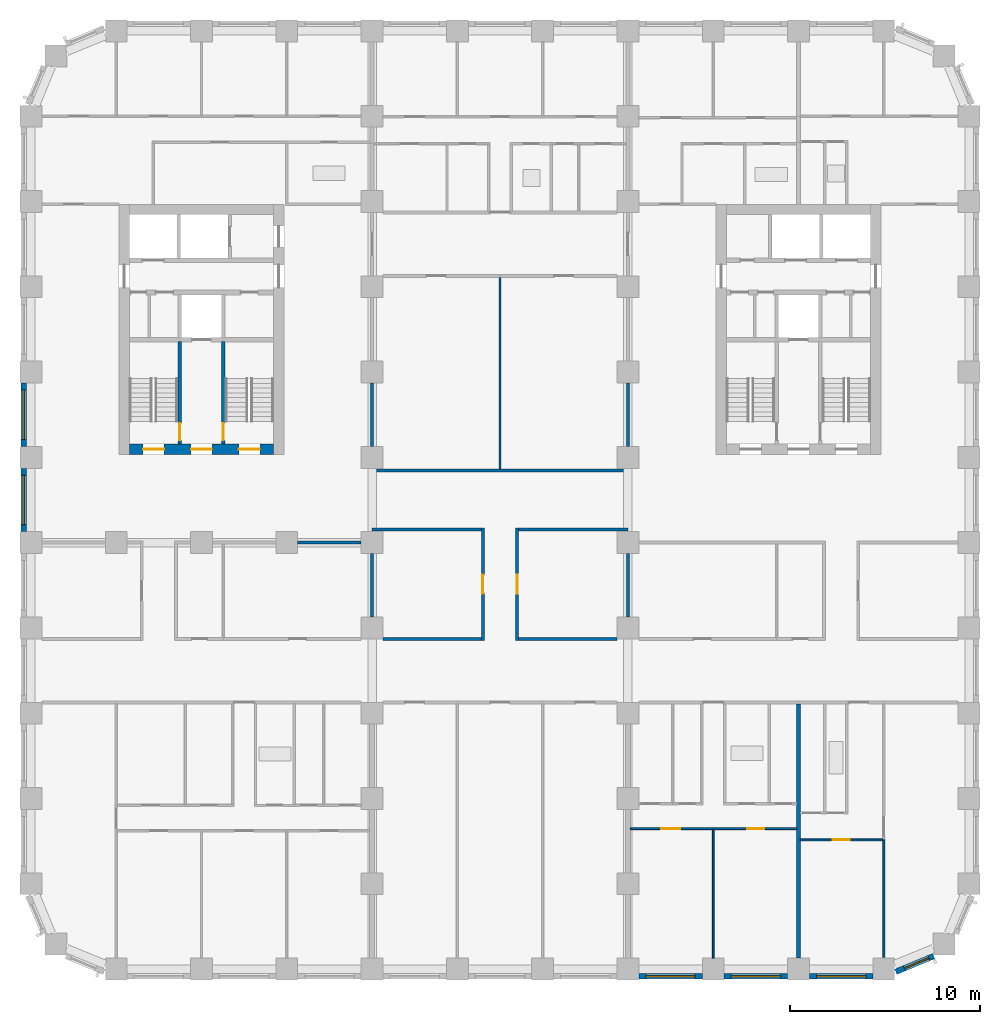
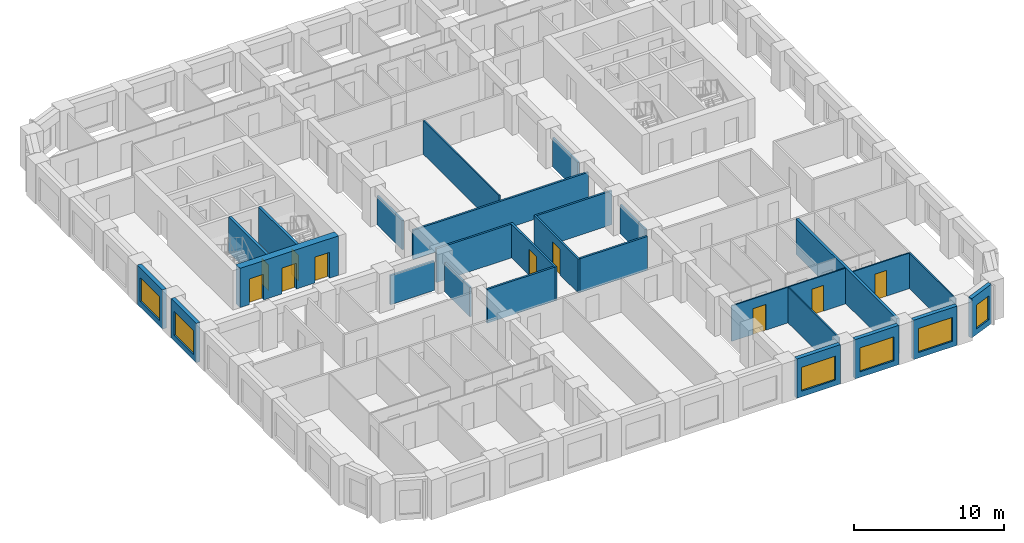
# One storey, part 4 of 13: 28 walls, 10 doors, 6 windows, 16 openings.
"""IFC4 building model written with IfcOpenShell, lengths in metres."""

from ifc_helpers import new_model, si_unit, direction, frame, frame_2d, origin, place, context, subcontext, project, spatial, rectangle, extrude, material, layer, layer_set, type_object, element, fill, save


model = new_model("IFC4")

# Units and contexts
model_context = context("Model", 3, precision=1e-05, world=origin(), true_north=direction((0.0, 1.0)))
body_context = subcontext(model_context, "Body", "Model", "MODEL_VIEW")
ifc_project = project(units=[si_unit("LENGTHUNIT", "METRE"), si_unit("AREAUNIT", "SQUARE_METRE"), si_unit("VOLUMEUNIT", "CUBIC_METRE"), si_unit("PLANEANGLEUNIT", "RADIAN"), si_unit("MASSUNIT", "GRAM", prefix="KILO")], contexts=[model_context])

# Site, building, storey
site_placement = place(None, origin())
site = spatial("IfcSite", under=ifc_project, at=site_placement, CompositionType="ELEMENT")
building_placement = place(site_placement, origin())
building = spatial("IfcBuilding", under=site, at=building_placement, Name="Girih Gate Residences", CompositionType="ELEMENT")
storey_placement = place(building_placement, frame((0.0, 0.0, 83.199951171875)))
storey = spatial("IfcBuildingStorey", under=building, at=storey_placement, Name="L22", CompositionType="ELEMENT", Elevation=83.199951171875)

# Wall, opening, door
ifc_material_1 = material(Name="Gypsum board on steel studs", Category="steel")
ifc_layer_1 = layer(ifc_material_1, 0.14990234375)
ifc_layer_set_1 = layer_set([ifc_layer_1], Name="Compartment wall 150 mm")
wall_type_1 = type_object("IfcWallType", Name="Compartment wall 150 mm", PredefinedType="PARTITIONING", material=ifc_layer_set_1)
wall_1_placement = place(storey_placement, frame((23.85009765625, 17.35009765625, 0.0), z_axis=(0.0, 0.0, 1.0), x_axis=(0.0, 1.0, 0.0)))
wall_1 = element("IfcWall", 1, at=wall_1_placement, inside=storey, type_object=wall_type_1, Name="L22 partition", PredefinedType="PARTITIONING", context=body_context, shape_type="SweptSolid", body=[
    extrude(rectangle(XDim=5.9248046875, YDim=0.14990234375, at=frame_2d((2.96240234375, 0.0))), origin(), (0.0, 0.0, 1.0), 2.75),
])
opening_1_placement = place(wall_1_placement, frame((2.46240234375, 0.0, 0.0)))
opening_1 = element("IfcOpeningElement", 2, at=opening_1_placement, cuts=wall_1, Name="Opening A22-056", PredefinedType="OPENING", context=body_context, shape_type="SweptSolid", body=[
    extrude(rectangle(XDim=1.0, YDim=2.10009765625, at=frame_2d((0.5, 1.050048828125))), frame((0.0, 0.0849609375, 0.0), z_axis=(0.0, -1.0, 0.0), x_axis=(1.0, 0.0, 0.0)), (0.0, 0.0, 1.0), 0.169921875),
])
ifc_material_2 = material(Name="Timber, fire-rated core", Category="wood")
door_type_1 = type_object("IfcDoorType", Name="Amenity room door 1000x2100 FD30S", OperationType="NOTDEFINED", PredefinedType="DOOR", material=ifc_material_2)
door_1_placement = place(opening_1_placement, origin())
door_1 = element("IfcDoor", 3, at=door_1_placement, inside=storey, type_object=door_type_1, Name="Door A22-056", OperationType="SINGLE_SWING_RIGHT", OverallHeight=2.10009765625, OverallWidth=1.0, PredefinedType="DOOR", context=body_context, shape_type="SweptSolid", body=[
    extrude(rectangle(XDim=1.0, YDim=2.10009765625, at=frame_2d((0.5, 1.050048828125))), frame((0.0, 0.02490234375, 0.0), z_axis=(0.0, -1.0, 0.0), x_axis=(1.0, 0.0, 0.0)), (0.0, 0.0, 1.0), 0.050048828125),
])
fill(opening_1, door_1)

wall_2_placement = place(storey_placement, frame((25.64990234375, 23.27490234375, 0.0), z_axis=(0.0, 0.0, 1.0), x_axis=(0.0, -1.0, 0.0)))
wall_2 = element("IfcWall", 4, at=wall_2_placement, inside=storey, type_object=wall_type_1, Name="L22 partition", PredefinedType="PARTITIONING", context=body_context, shape_type="SweptSolid", body=[
    extrude(rectangle(XDim=5.9248046875, YDim=0.14990234375, at=frame_2d((2.96240234375, 0.0))), origin(), (0.0, 0.0, 1.0), 2.75),
])
opening_2_placement = place(wall_2_placement, frame((2.46240234375, 0.0, 0.0)))
opening_2 = element("IfcOpeningElement", 5, at=opening_2_placement, cuts=wall_2, Name="Opening A22-057", PredefinedType="OPENING", context=body_context, shape_type="SweptSolid", body=[
    extrude(rectangle(XDim=1.0, YDim=2.10009765625, at=frame_2d((0.5, 1.050048828125))), frame((0.0, 0.0849609375, 0.0), z_axis=(0.0, -1.0, 0.0), x_axis=(1.0, 0.0, 0.0)), (0.0, 0.0, 1.0), 0.169921875),
])
door_2_placement = place(opening_2_placement, origin())
door_2 = element("IfcDoor", 6, at=door_2_placement, inside=storey, type_object=door_type_1, Name="Door A22-057", OperationType="SINGLE_SWING_RIGHT", OverallHeight=2.10009765625, OverallWidth=1.0, PredefinedType="DOOR", context=body_context, shape_type="SweptSolid", body=[
    extrude(rectangle(XDim=1.0, YDim=2.10009765625, at=frame_2d((0.5, 1.050048828125))), frame((0.0, 0.02490234375, 0.0), z_axis=(0.0, -1.0, 0.0), x_axis=(1.0, 0.0, 0.0)), (0.0, 0.0, 1.0), 0.050048828125),
])
fill(opening_2, door_2)

# Walls
for number, where, z_axis, x_axis, name in (
    (7, (18.574951171875, 17.425048828125, 0.0), (0.0, 0.0, 1.0), (1.0, 0.0, 0.0), "L22 partition"),
    (8, (25.72509765625, 17.425048828125, 0.0), (0.0, 0.0, 1.0), (1.0, 0.0, 0.0), "L22 partition"),
):
    element("IfcWall", number, at=place(storey_placement, frame(where, z_axis=z_axis, x_axis=x_axis)), inside=storey, type_object=wall_type_1, Name=name, PredefinedType="PARTITIONING", context=body_context, shape_type="SweptSolid", body=[
        extrude(rectangle(XDim=5.199951171875, YDim=0.14990234375, at=frame_2d((2.60009765625, 0.0))), origin(), (0.0, 0.0, 1.0), 2.75),
    ])
wall_3_placement = place(storey_placement, frame((18.0, 27.574951171875, 0.0), z_axis=(0.0, 0.0, 1.0), x_axis=(0.0, 1.0, 0.0)))
element("IfcWall", 9, at=wall_3_placement, inside=storey, type_object=wall_type_1, Name="L22 partition", PredefinedType="PARTITIONING", context=body_context, shape_type="SweptSolid", body=[
    extrude(rectangle(XDim=3.35009765625, YDim=0.14990234375, at=frame_2d((1.675048828125, 0.0))), origin(), (0.0, 0.0, 1.0), 2.380126953125),
])
wall_4_placement = place(storey_placement, frame((18.0, 26.300048828125, 0.0), z_axis=(0.0, 0.0, 1.0), x_axis=(1.0, 0.0, 0.0)))
element("IfcWall", 10, at=wall_4_placement, inside=storey, type_object=wall_type_1, Name="L22 partition", PredefinedType="PARTITIONING", context=body_context, shape_type="SweptSolid", body=[
    extrude(rectangle(XDim=13.5, YDim=0.14990234375, at=frame_2d((6.75, 0.0))), origin(), (0.0, 0.0, 1.0), 2.380126953125),
])
wall_5_placement = place(storey_placement, frame((31.5, 27.574951171875, 0.0), z_axis=(0.0, 0.0, 1.0), x_axis=(0.0, 1.0, 0.0)))
element("IfcWall", 11, at=wall_5_placement, inside=storey, type_object=wall_type_1, Name="L22 partition", PredefinedType="PARTITIONING", context=body_context, shape_type="SweptSolid", body=[
    extrude(rectangle(XDim=3.35009765625, YDim=0.14990234375, at=frame_2d((1.675048828125, 0.0))), origin(), (0.0, 0.0, 1.0), 2.380126953125),
])
wall_6_placement = place(storey_placement, frame((18.0, 23.199951171875, 0.0), z_axis=(0.0, 0.0, 1.0), x_axis=(1.0, 0.0, 0.0)))
element("IfcWall", 12, at=wall_6_placement, inside=storey, type_object=wall_type_1, Name="L22 partition", PredefinedType="PARTITIONING", context=body_context, shape_type="SweptSolid", body=[
    extrude(rectangle(XDim=5.77490234375, YDim=0.14990234375, at=frame_2d((2.887451171875, 0.0))), origin(), (0.0, 0.0, 1.0), 2.75),
])
wall_7_placement = place(storey_placement, frame((18.0, 18.574951171875, 0.0), z_axis=(0.0, 0.0, 1.0), x_axis=(0.0, 1.0, 0.0)))
element("IfcWall", 13, at=wall_7_placement, inside=storey, type_object=wall_type_1, Name="L22 partition", PredefinedType="PARTITIONING", context=body_context, shape_type="SweptSolid", body=[
    extrude(rectangle(XDim=3.35009765625, YDim=0.14990234375, at=frame_2d((1.675048828125, 0.0))), origin(), (0.0, 0.0, 1.0), 2.380126953125),
])
wall_8_placement = place(storey_placement, frame((25.72509765625, 23.199951171875, 0.0), z_axis=(0.0, 0.0, 1.0), x_axis=(1.0, 0.0, 0.0)))
element("IfcWall", 14, at=wall_8_placement, inside=storey, type_object=wall_type_1, Name="L22 partition", PredefinedType="PARTITIONING", context=body_context, shape_type="SweptSolid", body=[
    extrude(rectangle(XDim=5.77490234375, YDim=0.14990234375, at=frame_2d((2.887451171875, 0.0))), origin(), (0.0, 0.0, 1.0), 2.75),
])
for number, where, z_axis, x_axis, name in (
    (15, (31.5, 18.574951171875, 0.0), (0.0, 0.0, 1.0), (0.0, 1.0, 0.0), "L22 partition"),
    (16, (14.074951171875, 22.5, 0.0), (0.0, 0.0, 1.0), (1.0, 0.0, 0.0), "L22 partition"),
):
    element("IfcWall", number, at=place(storey_placement, frame(where, z_axis=z_axis, x_axis=x_axis)), inside=storey, type_object=wall_type_1, Name=name, PredefinedType="PARTITIONING", context=body_context, shape_type="SweptSolid", body=[
        extrude(rectangle(XDim=3.35009765625, YDim=0.14990234375, at=frame_2d((1.675048828125, 0.0))), origin(), (0.0, 0.0, 1.0), 2.380126953125),
    ])

# Wall, openings, doors
ifc_material_3 = material(Name="Concrete C60/75", Category="concrete")
ifc_layer_2 = layer(ifc_material_3, 0.550048828125)
ifc_layer_set_2 = layer_set([ifc_layer_2], Name="Core wall RC 550 Concrete C60/75")
wall_type_2 = type_object("IfcWallType", Name="Core wall RC 550 Concrete C60/75", PredefinedType="SOLIDWALL", material=ifc_layer_set_2)
wall_9_placement = place(storey_placement, frame((5.199951171875, 27.425048828125, 0.0), z_axis=(0.0, 0.0, 1.0), x_axis=(1.0, 0.0, 0.0)))
wall_9 = element("IfcWall", 17, at=wall_9_placement, inside=storey, type_object=wall_type_2, Name="Core wall W-S L22", PredefinedType="SOLIDWALL", context=body_context, shape_type="SweptSolid", body=[
    extrude(rectangle(XDim=7.60009765625, YDim=0.550048828125, at=frame_2d((3.800048828125, 0.0))), origin(), (0.0, 0.0, 1.0), 3.199951171875),
])
opening_3_placement = place(wall_9_placement, frame((0.72509765625, 0.0, 0.0)))
opening_3 = element("IfcOpeningElement", 18, at=opening_3_placement, cuts=wall_9, Name="Opening D-L22-W-009", PredefinedType="OPENING", context=body_context, shape_type="SweptSolid", body=[
    extrude(rectangle(XDim=1.10009765625, YDim=2.10009765625, at=frame_2d((0.550048828125, 1.050048828125))), frame((0.0, 0.284912109375, 0.0), z_axis=(0.0, -1.0, 0.0), x_axis=(1.0, 0.0, 0.0)), (0.0, 0.0, 1.0), 0.570068359375),
])
opening_4_placement = place(wall_9_placement, frame((3.25, 0.0, 0.0)))
opening_4 = element("IfcOpeningElement", 19, at=opening_4_placement, cuts=wall_9, Name="Opening D-L22-W-010", PredefinedType="OPENING", context=body_context, shape_type="SweptSolid", body=[
    extrude(rectangle(XDim=1.10009765625, YDim=2.10009765625, at=frame_2d((0.550048828125, 1.050048828125))), frame((0.0, 0.284912109375, 0.0), z_axis=(0.0, -1.0, 0.0), x_axis=(1.0, 0.0, 0.0)), (0.0, 0.0, 1.0), 0.570068359375),
])
opening_5_placement = place(wall_9_placement, frame((5.77490234375, 0.0, 0.0)))
opening_5 = element("IfcOpeningElement", 20, at=opening_5_placement, cuts=wall_9, Name="Opening D-L22-W-011", PredefinedType="OPENING", context=body_context, shape_type="SweptSolid", body=[
    extrude(rectangle(XDim=1.10009765625, YDim=2.10009765625, at=frame_2d((0.550048828125, 1.050048828125))), frame((0.0, 0.284912109375, 0.0), z_axis=(0.0, -1.0, 0.0), x_axis=(1.0, 0.0, 0.0)), (0.0, 0.0, 1.0), 0.570068359375),
])
ifc_material_4 = material(Name="Painted steel, fire-resisting", Category="steel")
door_type_2 = type_object("IfcDoorType", Name="Fire door 1100x2100", OperationType="SINGLE_SWING_LEFT", PredefinedType="DOOR", material=ifc_material_4)
door_3_placement = place(opening_3_placement, origin())
door_3 = element("IfcDoor", 21, at=door_3_placement, inside=storey, type_object=door_type_2, Name="L22 W core door sta-out", OperationType="SINGLE_SWING_LEFT", OverallHeight=2.10009765625, OverallWidth=1.10009765625, PredefinedType="DOOR", context=body_context, shape_type="SweptSolid", body=[
    extrude(rectangle(XDim=1.10009765625, YDim=2.10009765625, at=frame_2d((0.550048828125, 1.050048828125))), frame((0.0, 0.02490234375, 0.0), z_axis=(0.0, -1.0, 0.0), x_axis=(1.0, 0.0, 0.0)), (0.0, 0.0, 1.0), 0.050048828125),
])
fill(opening_3, door_3)
door_4_placement = place(opening_4_placement, origin())
door_4 = element("IfcDoor", 22, at=door_4_placement, inside=storey, type_object=door_type_2, Name="L22 W core door ffl-out", OperationType="SINGLE_SWING_LEFT", OverallHeight=2.10009765625, OverallWidth=1.10009765625, PredefinedType="DOOR", context=body_context, shape_type="SweptSolid", body=[
    extrude(rectangle(XDim=1.10009765625, YDim=2.10009765625, at=frame_2d((0.550048828125, 1.050048828125))), frame((0.0, 0.02490234375, 0.0), z_axis=(0.0, -1.0, 0.0), x_axis=(1.0, 0.0, 0.0)), (0.0, 0.0, 1.0), 0.050048828125),
])
fill(opening_4, door_4)
door_5_placement = place(opening_5_placement, origin())
door_5 = element("IfcDoor", 23, at=door_5_placement, inside=storey, type_object=door_type_2, Name="L22 W core door stb-out", OperationType="SINGLE_SWING_LEFT", OverallHeight=2.10009765625, OverallWidth=1.10009765625, PredefinedType="DOOR", context=body_context, shape_type="SweptSolid", body=[
    extrude(rectangle(XDim=1.10009765625, YDim=2.10009765625, at=frame_2d((0.550048828125, 1.050048828125))), frame((0.0, 0.02490234375, 0.0), z_axis=(0.0, -1.0, 0.0), x_axis=(1.0, 0.0, 0.0)), (0.0, 0.0, 1.0), 0.050048828125),
])
fill(opening_5, door_5)

# Wall, opening, door
ifc_layer_3 = layer(ifc_material_1, 0.10009765625)
ifc_layer_set_3 = layer_set([ifc_layer_3], Name="Partition 100 mm")
wall_type_3 = type_object("IfcWallType", Name="Partition 100 mm", PredefinedType="PARTITIONING", material=ifc_layer_set_3)
wall_10_placement = place(storey_placement, frame((44.949951171875, 6.81494140625, 0.0), z_axis=(0.0, 0.0, 1.0), x_axis=(-1.0, 0.0, 0.0)))
wall_10 = element("IfcWall", 24, at=wall_10_placement, inside=storey, type_object=wall_type_3, Name="L22 partition", PredefinedType="PARTITIONING", context=body_context, shape_type="SweptSolid", body=[
    extrude(rectangle(XDim=4.349853515625, YDim=0.10009765625, at=frame_2d((2.1748046875, 0.0))), origin(), (0.0, 0.0, 1.0), 2.900146484375),
])
opening_6_placement = place(wall_10_placement, frame((1.75, 0.0, 0.0)))
opening_6 = element("IfcOpeningElement", 25, at=opening_6_placement, cuts=wall_10, Name="Opening A22-019", PredefinedType="OPENING", context=body_context, shape_type="SweptSolid", body=[
    extrude(rectangle(XDim=0.89990234375, YDim=2.10009765625, at=frame_2d((0.449951171875, 1.050048828125))), frame((0.0, 0.06005859375, 0.0), z_axis=(0.0, -1.0, 0.0), x_axis=(1.0, 0.0, 0.0)), (0.0, 0.0, 1.0), 0.1201171875),
])
ifc_material_5 = material(Name="Timber", Category="wood")
door_type_3 = type_object("IfcDoorType", Name="Bedroom door 900x2100", OperationType="NOTDEFINED", PredefinedType="DOOR", material=ifc_material_5)
door_6_placement = place(opening_6_placement, origin())
door_6 = element("IfcDoor", 26, at=door_6_placement, inside=storey, type_object=door_type_3, Name="Door A22-019", OperationType="SINGLE_SWING_RIGHT", OverallHeight=2.10009765625, OverallWidth=0.89990234375, PredefinedType="DOOR", context=body_context, shape_type="SweptSolid", body=[
    extrude(rectangle(XDim=0.89990234375, YDim=2.10009765625, at=frame_2d((0.449951171875, 1.050048828125))), frame((0.0, 0.02490234375, 0.0), z_axis=(0.0, -1.0, 0.0), x_axis=(1.0, 0.0, 0.0)), (0.0, 0.0, 1.0), 0.050048828125),
])
fill(opening_6, door_6)

# Wall
wall_11_placement = place(storey_placement, frame((45.0, 0.622314453125, 0.0), z_axis=(0.0, 0.0, 1.0), x_axis=(0.0, 1.0, 0.0)))
element("IfcWall", 27, at=wall_11_placement, inside=storey, type_object=wall_type_3, Name="L22 partition", PredefinedType="PARTITIONING", context=body_context, shape_type="SweptSolid", body=[
    extrude(rectangle(XDim=6.192626953125, YDim=0.10009765625, at=frame_2d((3.09619140625, 0.0))), origin(), (0.0, 0.0, 1.0), 2.900146484375),
])

# Wall, opening, door
wall_12_placement = place(storey_placement, frame((40.39990234375, 7.4150390625, 0.0), z_axis=(0.0, 0.0, 1.0), x_axis=(-1.0, 0.0, 0.0)))
wall_12 = element("IfcWall", 28, at=wall_12_placement, inside=storey, type_object=wall_type_3, Name="L22 partition", PredefinedType="PARTITIONING", context=body_context, shape_type="SweptSolid", body=[
    extrude(rectangle(XDim=4.39990234375, YDim=0.10009765625, at=frame_2d((2.199951171875, 0.0))), origin(), (0.0, 0.0, 1.0), 2.900146484375),
])
opening_7_placement = place(wall_12_placement, frame((1.699951171875, 0.0, 0.0)))
opening_7 = element("IfcOpeningElement", 29, at=opening_7_placement, cuts=wall_12, Name="Opening A22-024", PredefinedType="OPENING", context=body_context, shape_type="SweptSolid", body=[
    extrude(rectangle(XDim=0.89990234375, YDim=2.10009765625, at=frame_2d((0.449951171875, 1.050048828125))), frame((0.0, 0.06005859375, 0.0), z_axis=(0.0, -1.0, 0.0), x_axis=(1.0, 0.0, 0.0)), (0.0, 0.0, 1.0), 0.1201171875),
])
door_7_placement = place(opening_7_placement, origin())
door_7 = element("IfcDoor", 30, at=door_7_placement, inside=storey, type_object=door_type_3, Name="Door A22-024", OperationType="SINGLE_SWING_LEFT", OverallHeight=2.10009765625, OverallWidth=0.89990234375, PredefinedType="DOOR", context=body_context, shape_type="SweptSolid", body=[
    extrude(rectangle(XDim=0.89990234375, YDim=2.10009765625, at=frame_2d((0.449951171875, 1.050048828125))), frame((0.0, 0.02490234375, 0.0), z_axis=(0.0, -1.0, 0.0), x_axis=(1.0, 0.0, 0.0)), (0.0, 0.0, 1.0), 0.050048828125),
])
fill(opening_7, door_7)

# Wall
wall_13_placement = place(storey_placement, frame((36.0, 0.574951171875, 0.0), z_axis=(0.0, 0.0, 1.0), x_axis=(0.0, 1.0, 0.0)))
element("IfcWall", 31, at=wall_13_placement, inside=storey, type_object=wall_type_3, Name="L22 partition", PredefinedType="PARTITIONING", context=body_context, shape_type="SweptSolid", body=[
    extrude(rectangle(XDim=6.7900390625, YDim=0.10009765625, at=frame_2d((3.39501953125, 0.0))), origin(), (0.0, 0.0, 1.0), 2.900146484375),
])

# Wall, opening, door
wall_14_placement = place(storey_placement, frame((36.0, 7.4150390625, 0.0), z_axis=(0.0, 0.0, 1.0), x_axis=(-1.0, 0.0, 0.0)))
wall_14 = element("IfcWall", 32, at=wall_14_placement, inside=storey, type_object=wall_type_3, Name="L22 partition", PredefinedType="PARTITIONING", context=body_context, shape_type="SweptSolid", body=[
    extrude(rectangle(XDim=4.375, YDim=0.10009765625, at=frame_2d((2.1875, 0.0))), origin(), (0.0, 0.0, 1.0), 2.900146484375),
])
opening_8_placement = place(wall_14_placement, frame((1.75, 0.0, 0.0)))
opening_8 = element("IfcOpeningElement", 33, at=opening_8_placement, cuts=wall_14, Name="Opening A22-026", PredefinedType="OPENING", context=body_context, shape_type="SweptSolid", body=[
    extrude(rectangle(XDim=1.0, YDim=2.10009765625, at=frame_2d((0.5, 1.050048828125))), frame((0.0, 0.06005859375, 0.0), z_axis=(0.0, -1.0, 0.0), x_axis=(1.0, 0.0, 0.0)), (0.0, 0.0, 1.0), 0.1201171875),
])
door_type_4 = type_object("IfcDoorType", Name="Living room door 1000x2100", OperationType="NOTDEFINED", PredefinedType="DOOR", material=ifc_material_5)
door_8_placement = place(opening_8_placement, origin())
door_8 = element("IfcDoor", 34, at=door_8_placement, inside=storey, type_object=door_type_4, Name="Door A22-026", OperationType="SINGLE_SWING_RIGHT", OverallHeight=2.10009765625, OverallWidth=1.0, PredefinedType="DOOR", context=body_context, shape_type="SweptSolid", body=[
    extrude(rectangle(XDim=1.0, YDim=2.10009765625, at=frame_2d((0.5, 1.050048828125))), frame((0.0, 0.02490234375, 0.0), z_axis=(0.0, -1.0, 0.0), x_axis=(1.0, 0.0, 0.0)), (0.0, 0.0, 1.0), 0.050048828125),
])
fill(opening_8, door_8)

# Walls
wall_15_placement = place(storey_placement, frame((24.75, 26.375, 0.0), z_axis=(0.0, 0.0, 1.0), x_axis=(0.0, 1.0, 0.0)))
element("IfcWall", 35, at=wall_15_placement, inside=storey, type_object=wall_type_3, Name="L22 partition", PredefinedType="PARTITIONING", context=body_context, shape_type="SweptSolid", body=[
    extrude(rectangle(XDim=10.125, YDim=0.10009765625, at=frame_2d((5.0625, 0.0))), origin(), (0.0, 0.0, 1.0), 2.75),
])
ifc_layer_4 = layer(ifc_material_1, 0.199951171875)
ifc_layer_set_4 = layer_set([ifc_layer_4], Name="Party wall 200 mm")
wall_type_4 = type_object("IfcWallType", Name="Party wall 200 mm", PredefinedType="PARTITIONING", material=ifc_layer_set_4)
wall_16_placement = place(storey_placement, frame((40.5, 0.574951171875, 0.0), z_axis=(0.0, 0.0, 1.0), x_axis=(0.0, 1.0, 0.0)))
element("IfcWall", 36, at=wall_16_placement, inside=storey, type_object=wall_type_4, Name="L22 partition", PredefinedType="PARTITIONING", context=body_context, shape_type="SweptSolid", body=[
    extrude(rectangle(XDim=13.425048828125, YDim=0.199951171875, at=frame_2d((6.71240234375, 0.0))), origin(), (0.0, 0.0, 1.0), 2.900146484375),
])

# Wall, opening, window
ifc_material_6 = material(Name="Precast concrete C50/60", Category="concrete")
ifc_layer_5 = layer(ifc_material_6, 0.080078125, Name="Outer leaf")
ifc_material_7 = material(Name="Rigid PIR insulation")
ifc_layer_6 = layer(ifc_material_7, 0.14990234375, Name="Insulation")
ifc_material_8 = material(Name="Precast concrete C40/50", Category="concrete")
ifc_layer_7 = layer(ifc_material_8, 0.070068359375, Name="Inner leaf")
ifc_layer_set_5 = layer_set([ifc_layer_5, ifc_layer_6, ifc_layer_7], Name="Precast concrete C50/60 external wall 300")
wall_type_5 = type_object("IfcWallType", Name="Precast concrete C50/60 external wall 300", PredefinedType="SOLIDWALL", material=ifc_layer_set_5)
wall_17_placement = place(storey_placement, frame((35.425048828125, -0.375, 0.0), z_axis=(0.0, 0.0, 1.0), x_axis=(-1.0, 0.0, 0.0)))
wall_17 = element("IfcWall", 37, at=wall_17_placement, inside=storey, type_object=wall_type_5, Name="External wall S0045_0000.6", PredefinedType="SOLIDWALL", context=body_context, shape_type="SweptSolid", body=[
    extrude(rectangle(XDim=3.35009765625, YDim=0.300048828125, at=frame_2d((1.675048828125, 0.0))), origin(), (0.0, 0.0, 1.0), 3.199951171875),
])
opening_9_placement = place(wall_17_placement, frame((0.375, 0.0, 0.449951171875)))
opening_9 = element("IfcOpeningElement", 38, at=opening_9_placement, cuts=wall_17, Name="Opening W-1A", PredefinedType="OPENING", context=body_context, shape_type="SweptSolid", body=[
    extrude(rectangle(XDim=2.60009765625, YDim=1.949951171875, at=frame_2d((1.300048828125, 0.97509765625))), frame((0.0, 0.159912109375, 0.0), z_axis=(0.0, -1.0, 0.0), x_axis=(1.0, 0.0, 0.0)), (0.0, 0.0, 1.0), 0.320068359375),
])
ifc_material_9 = material(Name="Double glazing in aluminium frame", Category="aluminium")
window_type_1 = type_object("IfcWindowType", Name="Window W-1A 2600x1950", PartitioningType="SINGLE_PANEL", PredefinedType="WINDOW", material=ifc_material_9)
window_1_placement = place(opening_9_placement, origin())
window_1 = element("IfcWindow", 39, at=window_1_placement, inside=storey, type_object=window_type_1, Name="Window W-1A S0045_0000.6", OverallHeight=1.949951171875, OverallWidth=2.60009765625, PartitioningType="SINGLE_PANEL", PredefinedType="WINDOW", context=body_context, shape_type="SweptSolid", body=[
    extrude(rectangle(XDim=2.60009765625, YDim=1.949951171875, at=frame_2d((1.300048828125, 0.97509765625))), frame((0.0, 0.030029296875, 0.0), z_axis=(0.0, -1.0, 0.0), x_axis=(1.0, 0.0, 0.0)), (0.0, 0.0, 1.0), 0.06005859375),
])
fill(opening_9, window_1)

wall_18_placement = place(storey_placement, frame((39.925048828125, -0.375, 0.0), z_axis=(0.0, 0.0, 1.0), x_axis=(-1.0, 0.0, 0.0)))
wall_18 = element("IfcWall", 40, at=wall_18_placement, inside=storey, type_object=wall_type_5, Name="External wall S0045_0000.7", PredefinedType="SOLIDWALL", context=body_context, shape_type="SweptSolid", body=[
    extrude(rectangle(XDim=3.35009765625, YDim=0.300048828125, at=frame_2d((1.675048828125, 0.0))), origin(), (0.0, 0.0, 1.0), 3.199951171875),
])
opening_10_placement = place(wall_18_placement, frame((0.375, 0.0, 0.449951171875)))
opening_10 = element("IfcOpeningElement", 41, at=opening_10_placement, cuts=wall_18, Name="Opening W-1A", PredefinedType="OPENING", context=body_context, shape_type="SweptSolid", body=[
    extrude(rectangle(XDim=2.60009765625, YDim=1.949951171875, at=frame_2d((1.300048828125, 0.97509765625))), frame((0.0, 0.159912109375, 0.0), z_axis=(0.0, -1.0, 0.0), x_axis=(1.0, 0.0, 0.0)), (0.0, 0.0, 1.0), 0.320068359375),
])
window_2_placement = place(opening_10_placement, origin())
window_2 = element("IfcWindow", 42, at=window_2_placement, inside=storey, type_object=window_type_1, Name="Window W-1A S0045_0000.7", OverallHeight=1.949951171875, OverallWidth=2.60009765625, PartitioningType="SINGLE_PANEL", PredefinedType="WINDOW", context=body_context, shape_type="SweptSolid", body=[
    extrude(rectangle(XDim=2.60009765625, YDim=1.949951171875, at=frame_2d((1.300048828125, 0.97509765625))), frame((0.0, 0.030029296875, 0.0), z_axis=(0.0, -1.0, 0.0), x_axis=(1.0, 0.0, 0.0)), (0.0, 0.0, 1.0), 0.06005859375),
])
fill(opening_10, window_2)

wall_19_placement = place(storey_placement, frame((44.425048828125, -0.375, 0.0), z_axis=(0.0, 0.0, 1.0), x_axis=(-1.0, 0.0, 0.0)))
wall_19 = element("IfcWall", 43, at=wall_19_placement, inside=storey, type_object=wall_type_5, Name="External wall S0045_0000.8", PredefinedType="SOLIDWALL", context=body_context, shape_type="SweptSolid", body=[
    extrude(rectangle(XDim=3.35009765625, YDim=0.300048828125, at=frame_2d((1.675048828125, 0.0))), origin(), (0.0, 0.0, 1.0), 3.199951171875),
])
opening_11_placement = place(wall_19_placement, frame((0.375, 0.0, 0.449951171875)))
opening_11 = element("IfcOpeningElement", 44, at=opening_11_placement, cuts=wall_19, Name="Opening W-1A", PredefinedType="OPENING", context=body_context, shape_type="SweptSolid", body=[
    extrude(rectangle(XDim=2.60009765625, YDim=1.949951171875, at=frame_2d((1.300048828125, 0.97509765625))), frame((0.0, 0.159912109375, 0.0), z_axis=(0.0, -1.0, 0.0), x_axis=(1.0, 0.0, 0.0)), (0.0, 0.0, 1.0), 0.320068359375),
])
window_3_placement = place(opening_11_placement, origin())
window_3 = element("IfcWindow", 45, at=window_3_placement, inside=storey, type_object=window_type_1, Name="Window W-1A S0045_0000.8", OverallHeight=1.949951171875, OverallWidth=2.60009765625, PartitioningType="SINGLE_PANEL", PredefinedType="WINDOW", context=body_context, shape_type="SweptSolid", body=[
    extrude(rectangle(XDim=2.60009765625, YDim=1.949951171875, at=frame_2d((1.300048828125, 0.97509765625))), frame((0.0, 0.030029296875, 0.0), z_axis=(0.0, -1.0, 0.0), x_axis=(1.0, 0.0, 0.0)), (0.0, 0.0, 1.0), 0.06005859375),
])
fill(opening_11, window_3)

wall_20_placement = place(storey_placement, frame((47.63134765625, 0.68408203125, 0.0), z_axis=(0.0, 0.0, 1.0), x_axis=(-0.923862802911, -0.382723818695, 0.0)))
wall_20 = element("IfcWall", 46, at=wall_20_placement, inside=storey, type_object=wall_type_5, Name="External wall SE0450_0000.0", PredefinedType="SOLIDWALL", context=body_context, shape_type="SweptSolid", body=[
    extrude(rectangle(XDim=2.163818359375, YDim=0.300048828125, at=frame_2d((1.08203125, 0.0))), origin(), (0.0, 0.0, 1.0), 3.199951171875),
])
opening_12_placement = place(wall_20_placement, frame((0.270751953125, 0.0, 0.449951171875)))
opening_12 = element("IfcOpeningElement", 47, at=opening_12_placement, cuts=wall_20, Name="Opening W-2D", PredefinedType="OPENING", context=body_context, shape_type="SweptSolid", body=[
    extrude(rectangle(XDim=1.39990234375, YDim=1.949951171875, at=frame_2d((0.699951171875, 0.97509765625))), frame((0.0, 0.159912109375, 0.0), z_axis=(0.0, -1.0, 0.0), x_axis=(1.0, 0.0, 0.0)), (0.0, 0.0, 1.0), 0.320068359375),
])
window_type_2 = type_object("IfcWindowType", Name="Window W-2D 1400x1950", PartitioningType="SINGLE_PANEL", PredefinedType="WINDOW", material=ifc_material_9)
window_4_placement = place(opening_12_placement, origin())
window_4 = element("IfcWindow", 48, at=window_4_placement, inside=storey, type_object=window_type_2, Name="Window W-2D SE0450_0000.0", OverallHeight=1.949951171875, OverallWidth=1.39990234375, PartitioningType="SINGLE_PANEL", PredefinedType="WINDOW", context=body_context, shape_type="SweptSolid", body=[
    extrude(rectangle(XDim=1.39990234375, YDim=1.949951171875, at=frame_2d((0.699951171875, 0.97509765625))), frame((0.0, 0.030029296875, 0.0), z_axis=(0.0, -1.0, 0.0), x_axis=(1.0, 0.0, 0.0)), (0.0, 0.0, 1.0), 0.06005859375),
])
fill(opening_12, window_4)

wall_21_placement = place(storey_placement, frame((-0.375, 27.574951171875, 0.0), z_axis=(0.0, 0.0, 1.0), x_axis=(0.0, 1.0, 0.0)))
wall_21 = element("IfcWall", 49, at=wall_21_placement, inside=storey, type_object=wall_type_5, Name="External wall W0000_0450.3", PredefinedType="SOLIDWALL", context=body_context, shape_type="SweptSolid", body=[
    extrude(rectangle(XDim=3.35009765625, YDim=0.300048828125, at=frame_2d((1.675048828125, 0.0))), origin(), (0.0, 0.0, 1.0), 3.199951171875),
])
opening_13_placement = place(wall_21_placement, frame((0.375, 0.0, 0.449951171875)))
opening_13 = element("IfcOpeningElement", 50, at=opening_13_placement, cuts=wall_21, Name="Opening W-1A", PredefinedType="OPENING", context=body_context, shape_type="SweptSolid", body=[
    extrude(rectangle(XDim=2.60009765625, YDim=1.949951171875, at=frame_2d((1.300048828125, 0.97509765625))), frame((0.0, 0.159912109375, 0.0), z_axis=(0.0, -1.0, 0.0), x_axis=(1.0, 0.0, 0.0)), (0.0, 0.0, 1.0), 0.320068359375),
])
window_5_placement = place(opening_13_placement, origin())
window_5 = element("IfcWindow", 51, at=window_5_placement, inside=storey, type_object=window_type_1, Name="Window W-1A W0000_0450.3", OverallHeight=1.949951171875, OverallWidth=2.60009765625, PartitioningType="SINGLE_PANEL", PredefinedType="WINDOW", context=body_context, shape_type="SweptSolid", body=[
    extrude(rectangle(XDim=2.60009765625, YDim=1.949951171875, at=frame_2d((1.300048828125, 0.97509765625))), frame((0.0, 0.030029296875, 0.0), z_axis=(0.0, -1.0, 0.0), x_axis=(1.0, 0.0, 0.0)), (0.0, 0.0, 1.0), 0.06005859375),
])
fill(opening_13, window_5)

wall_22_placement = place(storey_placement, frame((-0.375, 23.074951171875, 0.0), z_axis=(0.0, 0.0, 1.0), x_axis=(0.0, 1.0, 0.0)))
wall_22 = element("IfcWall", 52, at=wall_22_placement, inside=storey, type_object=wall_type_5, Name="External wall W0000_0450.4", PredefinedType="SOLIDWALL", context=body_context, shape_type="SweptSolid", body=[
    extrude(rectangle(XDim=3.35009765625, YDim=0.300048828125, at=frame_2d((1.675048828125, 0.0))), origin(), (0.0, 0.0, 1.0), 3.199951171875),
])
opening_14_placement = place(wall_22_placement, frame((0.375, 0.0, 0.449951171875)))
opening_14 = element("IfcOpeningElement", 53, at=opening_14_placement, cuts=wall_22, Name="Opening W-1A", PredefinedType="OPENING", context=body_context, shape_type="SweptSolid", body=[
    extrude(rectangle(XDim=2.60009765625, YDim=1.949951171875, at=frame_2d((1.300048828125, 0.97509765625))), frame((0.0, 0.159912109375, 0.0), z_axis=(0.0, -1.0, 0.0), x_axis=(1.0, 0.0, 0.0)), (0.0, 0.0, 1.0), 0.320068359375),
])
window_6_placement = place(opening_14_placement, origin())
window_6 = element("IfcWindow", 54, at=window_6_placement, inside=storey, type_object=window_type_1, Name="Window W-1A W0000_0450.4", OverallHeight=1.949951171875, OverallWidth=2.60009765625, PartitioningType="SINGLE_PANEL", PredefinedType="WINDOW", context=body_context, shape_type="SweptSolid", body=[
    extrude(rectangle(XDim=2.60009765625, YDim=1.949951171875, at=frame_2d((1.300048828125, 0.97509765625))), frame((0.0, 0.030029296875, 0.0), z_axis=(0.0, -1.0, 0.0), x_axis=(1.0, 0.0, 0.0)), (0.0, 0.0, 1.0), 0.06005859375),
])
fill(opening_14, window_6)

# Wall, opening, door
ifc_material_10 = material(Name="Concrete C40/50", Category="concrete")
ifc_layer_8 = layer(ifc_material_10, 0.199951171875)
ifc_layer_set_6 = layer_set([ifc_layer_8], Name="Shaft wall 200")
wall_type_6 = type_object("IfcWallType", Name="Shaft wall 200", PredefinedType="SOLIDWALL", material=ifc_layer_set_6)
wall_23_placement = place(storey_placement, frame((7.85009765625, 27.699951171875, 0.0), z_axis=(0.0, 0.0, 1.0), x_axis=(0.0, 1.0, 0.0)))
wall_23 = element("IfcWall", 55, at=wall_23_placement, inside=storey, type_object=wall_type_6, Name="L22 W core wall V1a", PredefinedType="SOLIDWALL", context=body_context, shape_type="SweptSolid", body=[
    extrude(rectangle(XDim=5.400146484375, YDim=0.199951171875, at=frame_2d((2.7001953125, 0.0))), origin(), (0.0, 0.0, 1.0), 2.900146484375),
])
opening_15_placement = place(wall_23_placement, frame((0.199951171875, 0.0, 0.0)))
opening_15 = element("IfcOpeningElement", 56, at=opening_15_placement, cuts=wall_23, Name="Opening D-L22-W-001", PredefinedType="OPENING", context=body_context, shape_type="SweptSolid", body=[
    extrude(rectangle(XDim=0.89990234375, YDim=2.10009765625, at=frame_2d((0.449951171875, 1.050048828125))), frame((0.0, 0.10986328125, 0.0), z_axis=(0.0, -1.0, 0.0), x_axis=(1.0, 0.0, 0.0)), (0.0, 0.0, 1.0), 0.219970703125),
])
door_type_5 = type_object("IfcDoorType", Name="Fire door 900x2100", OperationType="SINGLE_SWING_LEFT", PredefinedType="DOOR", material=ifc_material_4)
door_9_placement = place(opening_15_placement, origin())
door_9 = element("IfcDoor", 57, at=door_9_placement, inside=storey, type_object=door_type_5, Name="L22 W door stair 1 to firefighting lobby", OperationType="SINGLE_SWING_LEFT", OverallHeight=2.10009765625, OverallWidth=0.89990234375, PredefinedType="DOOR", context=body_context, shape_type="SweptSolid", body=[
    extrude(rectangle(XDim=0.89990234375, YDim=2.10009765625, at=frame_2d((0.449951171875, 1.050048828125))), frame((0.0, 0.02490234375, 0.0), z_axis=(0.0, -1.0, 0.0), x_axis=(1.0, 0.0, 0.0)), (0.0, 0.0, 1.0), 0.050048828125),
])
fill(opening_15, door_9)

wall_24_placement = place(storey_placement, frame((10.14990234375, 27.699951171875, 0.0), z_axis=(0.0, 0.0, 1.0), x_axis=(0.0, 1.0, 0.0)))
wall_24 = element("IfcWall", 58, at=wall_24_placement, inside=storey, type_object=wall_type_6, Name="L22 W core wall V2a", PredefinedType="SOLIDWALL", context=body_context, shape_type="SweptSolid", body=[
    extrude(rectangle(XDim=5.400146484375, YDim=0.199951171875, at=frame_2d((2.7001953125, 0.0))), origin(), (0.0, 0.0, 1.0), 2.900146484375),
])
opening_16_placement = place(wall_24_placement, frame((0.199951171875, 0.0, 0.0)))
opening_16 = element("IfcOpeningElement", 59, at=opening_16_placement, cuts=wall_24, Name="Opening D-L22-W-002", PredefinedType="OPENING", context=body_context, shape_type="SweptSolid", body=[
    extrude(rectangle(XDim=0.89990234375, YDim=2.10009765625, at=frame_2d((0.449951171875, 1.050048828125))), frame((0.0, 0.10986328125, 0.0), z_axis=(0.0, -1.0, 0.0), x_axis=(1.0, 0.0, 0.0)), (0.0, 0.0, 1.0), 0.219970703125),
])
door_10_placement = place(opening_16_placement, origin())
door_10 = element("IfcDoor", 60, at=door_10_placement, inside=storey, type_object=door_type_5, Name="L22 W door stair 2 to firefighting lobby", OperationType="SINGLE_SWING_LEFT", OverallHeight=2.10009765625, OverallWidth=0.89990234375, PredefinedType="DOOR", context=body_context, shape_type="SweptSolid", body=[
    extrude(rectangle(XDim=0.89990234375, YDim=2.10009765625, at=frame_2d((0.449951171875, 1.050048828125))), frame((0.0, 0.02490234375, 0.0), z_axis=(0.0, -1.0, 0.0), x_axis=(1.0, 0.0, 0.0)), (0.0, 0.0, 1.0), 0.050048828125),
])
fill(opening_16, door_10)

save(model, "model.ifc")
